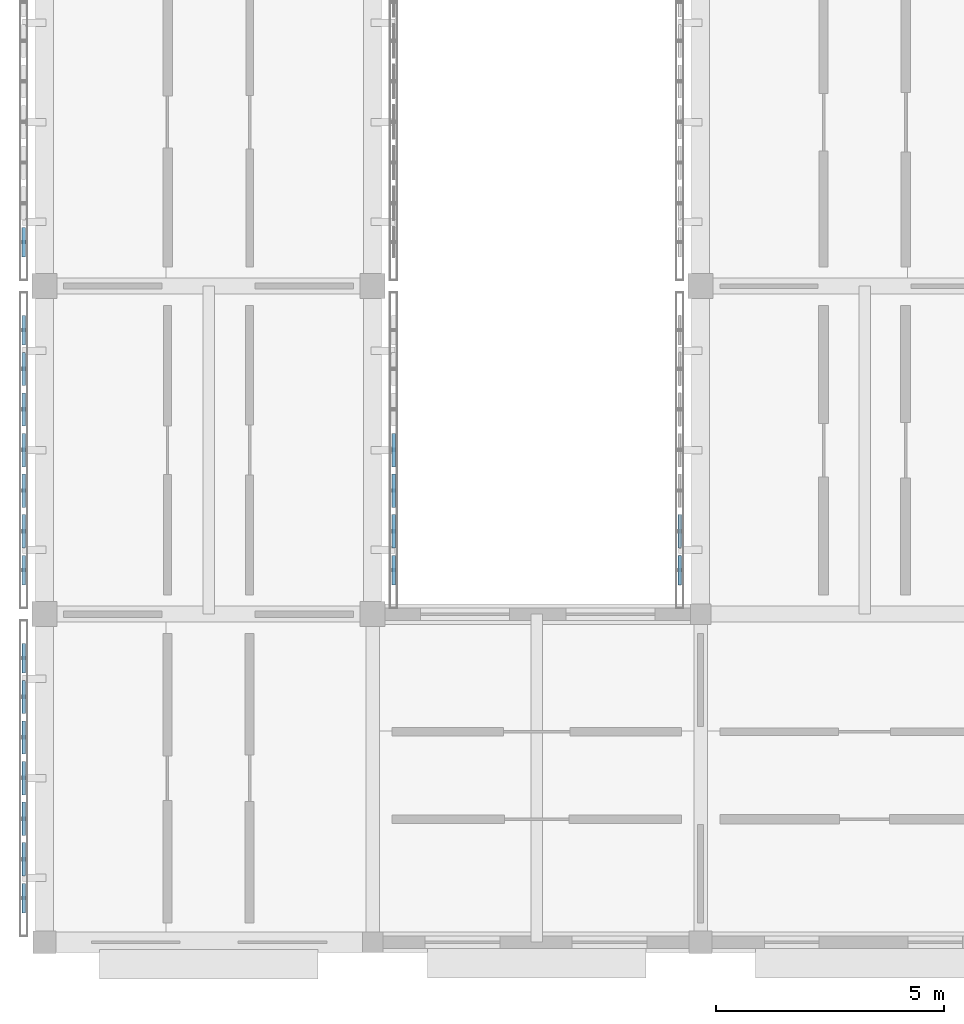
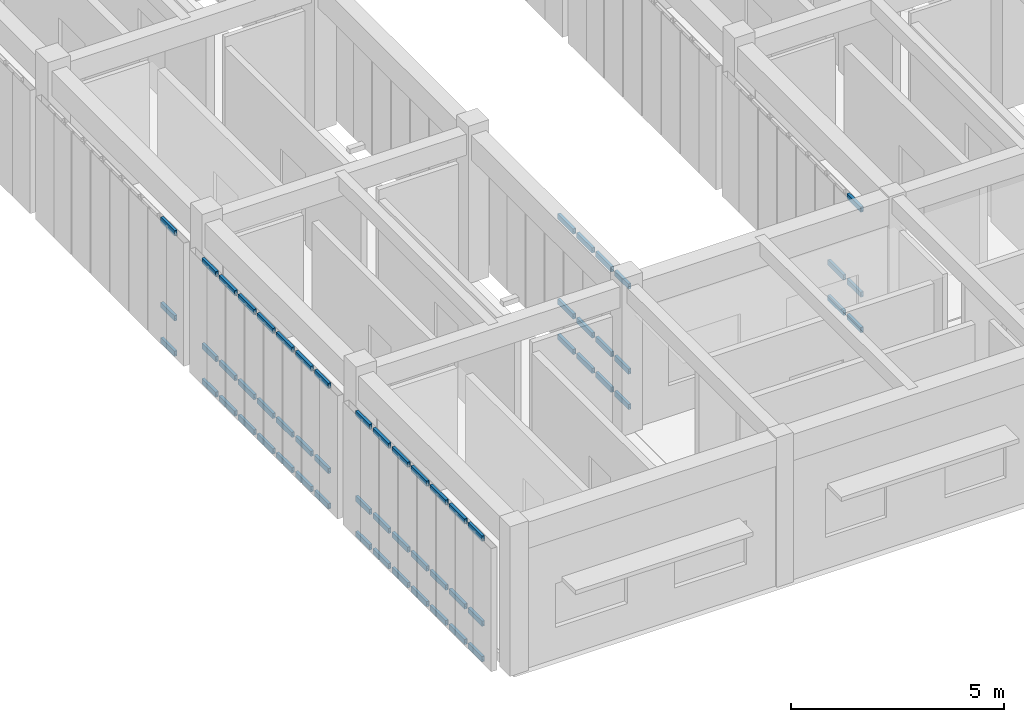
# One storey, part 69 of 171: 62 members, 5 elements without a shape of their own.
"""IFC4 building model written with IfcOpenShell, lengths in metres."""

from ifc_helpers import new_model, si_unit, direction, frame, origin, origin_2d, place, context, subcontext, project, spatial, hollow_rectangle, extrude, material, material_profile, profile_set, type_object, element, aggregate, save


model = new_model("IFC4")

# Units and contexts
model_context = context("Model", 3, precision=1e-05, world=origin(), true_north=direction((0.0, 1.0)))
body_context = subcontext(model_context, "Body", "Model", "MODEL_VIEW")
ifc_project = project(units=[si_unit("LENGTHUNIT", "METRE"), si_unit("AREAUNIT", "SQUARE_METRE"), si_unit("VOLUMEUNIT", "CUBIC_METRE"), si_unit("PLANEANGLEUNIT", "RADIAN"), si_unit("MASSUNIT", "GRAM", prefix="KILO")], contexts=[model_context])

# Site, building, storey
site_placement = place(None, origin())
site = spatial("IfcSite", under=ifc_project, at=site_placement, CompositionType="ELEMENT")
building_placement = place(site_placement, origin())
building = spatial("IfcBuilding", under=site, at=building_placement, Name="Aldebral Square Health Centre", CompositionType="ELEMENT")
storey_placement = place(building_placement, frame((0.0, 0.0, 4.5)))
storey = spatial("IfcBuildingStorey", under=building, at=storey_placement, Name="L01", CompositionType="ELEMENT", Elevation=4.5)

# Curtain wall, members
ifc_material_1 = material(Name="Aluminium and low-E solar glass", Category="aluminium")
curtain_wall_type = type_object("IfcCurtainWallType", Name="CW-FIN-SYS", PredefinedType="USERDEFINED", material=ifc_material_1)
curtain_wall_1_placement = place(storey_placement, origin())
curtain_wall_1 = element("IfcCurtainWall", 1, at=curtain_wall_1_placement, inside=storey, type_object=curtain_wall_type, Name="L01 V6 finned curtain wall L01-V6-00-00-W", ObjectType="SOLAR_CURTAIN_WALL", PredefinedType="USERDEFINED")
ifc_material_2 = material(Name="Anodised aluminium transom", Category="aluminium")
ifc_material_profile = material_profile(ifc_material_2, hollow_rectangle(XDim=0.074951171875, YDim=0.14990234375, WallThickness=0.00390625, at=origin_2d()), Name="CWT 75x150x4")
ifc_profile_set = profile_set([ifc_material_profile], Name="Anodised aluminium transom")
member_type = type_object("IfcMemberType", Name="CWT-STD", PredefinedType="USERDEFINED", material=ifc_profile_set)
member_1_placement = place(storey_placement, frame((-0.4599609375, 6.56005859375, 0.03759765625), z_axis=(0.0, -1.0, 0.0), x_axis=(1.0, 0.0, 0.0)))
member_1 = element("IfcMember", 2, at=member_1_placement, type_object=member_type, Name="CW1 transom 1.1", ObjectType="TRANSOM", PredefinedType="USERDEFINED", context=body_context, shape_type="SweptSolid", body=[
    extrude(hollow_rectangle(XDim=0.074951171875, YDim=0.14990234375, WallThickness=0.00390625, at=origin_2d()), origin(), (0.0, 0.0, 1.0), 0.6513671875),
])
member_2_placement = place(storey_placement, frame((-0.4599609375, 6.56005859375, 1.050048828125), z_axis=(0.0, -1.0, 0.0), x_axis=(1.0, 0.0, 0.0)))
member_2 = element("IfcMember", 3, at=member_2_placement, type_object=member_type, Name="CW1 transom 1.2", ObjectType="TRANSOM", PredefinedType="USERDEFINED", context=body_context, shape_type="SweptSolid", body=[
    extrude(hollow_rectangle(XDim=0.074951171875, YDim=0.14990234375, WallThickness=0.00390625, at=origin_2d()), origin(), (0.0, 0.0, 1.0), 0.6513671875),
])
member_3_placement = place(storey_placement, frame((-0.4599609375, 6.56005859375, 3.482421875), z_axis=(0.0, -1.0, 0.0), x_axis=(1.0, 0.0, 0.0)))
member_3 = element("IfcMember", 4, at=member_3_placement, type_object=member_type, Name="CW1 transom 1.3", ObjectType="TRANSOM", PredefinedType="USERDEFINED", context=body_context, shape_type="SweptSolid", body=[
    extrude(hollow_rectangle(XDim=0.074951171875, YDim=0.14990234375, WallThickness=0.00390625, at=origin_2d()), origin(), (0.0, 0.0, 1.0), 0.6513671875),
])
member_4_placement = place(storey_placement, frame((-0.4599609375, 5.74853515625, 0.03759765625), z_axis=(0.0, -1.0, 0.0), x_axis=(1.0, 0.0, 0.0)))
member_4 = element("IfcMember", 5, at=member_4_placement, type_object=member_type, Name="CW1 transom 2.1", ObjectType="TRANSOM", PredefinedType="USERDEFINED", context=body_context, shape_type="SweptSolid", body=[
    extrude(hollow_rectangle(XDim=0.074951171875, YDim=0.14990234375, WallThickness=0.00390625, at=origin_2d()), origin(), (0.0, 0.0, 1.0), 0.7314453125),
])
member_5_placement = place(storey_placement, frame((-0.4599609375, 5.74853515625, 1.050048828125), z_axis=(0.0, -1.0, 0.0), x_axis=(1.0, 0.0, 0.0)))
member_5 = element("IfcMember", 6, at=member_5_placement, type_object=member_type, Name="CW1 transom 2.2", ObjectType="TRANSOM", PredefinedType="USERDEFINED", context=body_context, shape_type="SweptSolid", body=[
    extrude(hollow_rectangle(XDim=0.074951171875, YDim=0.14990234375, WallThickness=0.00390625, at=origin_2d()), origin(), (0.0, 0.0, 1.0), 0.7314453125),
])
member_6_placement = place(storey_placement, frame((-0.4599609375, 5.74853515625, 3.482421875), z_axis=(0.0, -1.0, 0.0), x_axis=(1.0, 0.0, 0.0)))
member_6 = element("IfcMember", 7, at=member_6_placement, type_object=member_type, Name="CW1 transom 2.3", ObjectType="TRANSOM", PredefinedType="USERDEFINED", context=body_context, shape_type="SweptSolid", body=[
    extrude(hollow_rectangle(XDim=0.074951171875, YDim=0.14990234375, WallThickness=0.00390625, at=origin_2d()), origin(), (0.0, 0.0, 1.0), 0.7314453125),
])
member_7_placement = place(storey_placement, frame((-0.4599609375, 4.857177734375, 0.03759765625), z_axis=(0.0, -1.0, 0.0), x_axis=(1.0, 0.0, 0.0)))
member_7 = element("IfcMember", 8, at=member_7_placement, type_object=member_type, Name="CW1 transom 3.1", ObjectType="TRANSOM", PredefinedType="USERDEFINED", context=body_context, shape_type="SweptSolid", body=[
    extrude(hollow_rectangle(XDim=0.074951171875, YDim=0.14990234375, WallThickness=0.00390625, at=origin_2d()), origin(), (0.0, 0.0, 1.0), 0.7314453125),
])
member_8_placement = place(storey_placement, frame((-0.4599609375, 4.857177734375, 1.050048828125), z_axis=(0.0, -1.0, 0.0), x_axis=(1.0, 0.0, 0.0)))
member_8 = element("IfcMember", 9, at=member_8_placement, type_object=member_type, Name="CW1 transom 3.2", ObjectType="TRANSOM", PredefinedType="USERDEFINED", context=body_context, shape_type="SweptSolid", body=[
    extrude(hollow_rectangle(XDim=0.074951171875, YDim=0.14990234375, WallThickness=0.00390625, at=origin_2d()), origin(), (0.0, 0.0, 1.0), 0.7314453125),
])
member_9_placement = place(storey_placement, frame((-0.4599609375, 4.857177734375, 3.482421875), z_axis=(0.0, -1.0, 0.0), x_axis=(1.0, 0.0, 0.0)))
member_9 = element("IfcMember", 10, at=member_9_placement, type_object=member_type, Name="CW1 transom 3.3", ObjectType="TRANSOM", PredefinedType="USERDEFINED", context=body_context, shape_type="SweptSolid", body=[
    extrude(hollow_rectangle(XDim=0.074951171875, YDim=0.14990234375, WallThickness=0.00390625, at=origin_2d()), origin(), (0.0, 0.0, 1.0), 0.7314453125),
])
member_10_placement = place(storey_placement, frame((-0.4599609375, 3.9658203125, 0.03759765625), z_axis=(0.0, -1.0, 0.0), x_axis=(1.0, 0.0, 0.0)))
member_10 = element("IfcMember", 11, at=member_10_placement, type_object=member_type, Name="CW1 transom 4.1", ObjectType="TRANSOM", PredefinedType="USERDEFINED", context=body_context, shape_type="SweptSolid", body=[
    extrude(hollow_rectangle(XDim=0.074951171875, YDim=0.14990234375, WallThickness=0.00390625, at=origin_2d()), origin(), (0.0, 0.0, 1.0), 0.7314453125),
])
member_11_placement = place(storey_placement, frame((-0.4599609375, 3.9658203125, 1.050048828125), z_axis=(0.0, -1.0, 0.0), x_axis=(1.0, 0.0, 0.0)))
member_11 = element("IfcMember", 12, at=member_11_placement, type_object=member_type, Name="CW1 transom 4.2", ObjectType="TRANSOM", PredefinedType="USERDEFINED", context=body_context, shape_type="SweptSolid", body=[
    extrude(hollow_rectangle(XDim=0.074951171875, YDim=0.14990234375, WallThickness=0.00390625, at=origin_2d()), origin(), (0.0, 0.0, 1.0), 0.7314453125),
])
member_12_placement = place(storey_placement, frame((-0.4599609375, 3.9658203125, 3.482421875), z_axis=(0.0, -1.0, 0.0), x_axis=(1.0, 0.0, 0.0)))
member_12 = element("IfcMember", 13, at=member_12_placement, type_object=member_type, Name="CW1 transom 4.3", ObjectType="TRANSOM", PredefinedType="USERDEFINED", context=body_context, shape_type="SweptSolid", body=[
    extrude(hollow_rectangle(XDim=0.074951171875, YDim=0.14990234375, WallThickness=0.00390625, at=origin_2d()), origin(), (0.0, 0.0, 1.0), 0.7314453125),
])
member_13_placement = place(storey_placement, frame((-0.4599609375, 3.07421875, 0.03759765625), z_axis=(0.0, -1.0, 0.0), x_axis=(1.0, 0.0, 0.0)))
member_13 = element("IfcMember", 14, at=member_13_placement, type_object=member_type, Name="CW1 transom 5.1", ObjectType="TRANSOM", PredefinedType="USERDEFINED", context=body_context, shape_type="SweptSolid", body=[
    extrude(hollow_rectangle(XDim=0.074951171875, YDim=0.14990234375, WallThickness=0.00390625, at=origin_2d()), origin(), (0.0, 0.0, 1.0), 0.7314453125),
])
member_14_placement = place(storey_placement, frame((-0.4599609375, 3.07421875, 1.050048828125), z_axis=(0.0, -1.0, 0.0), x_axis=(1.0, 0.0, 0.0)))
member_14 = element("IfcMember", 15, at=member_14_placement, type_object=member_type, Name="CW1 transom 5.2", ObjectType="TRANSOM", PredefinedType="USERDEFINED", context=body_context, shape_type="SweptSolid", body=[
    extrude(hollow_rectangle(XDim=0.074951171875, YDim=0.14990234375, WallThickness=0.00390625, at=origin_2d()), origin(), (0.0, 0.0, 1.0), 0.7314453125),
])
member_15_placement = place(storey_placement, frame((-0.4599609375, 3.07421875, 3.482421875), z_axis=(0.0, -1.0, 0.0), x_axis=(1.0, 0.0, 0.0)))
member_15 = element("IfcMember", 16, at=member_15_placement, type_object=member_type, Name="CW1 transom 5.3", ObjectType="TRANSOM", PredefinedType="USERDEFINED", context=body_context, shape_type="SweptSolid", body=[
    extrude(hollow_rectangle(XDim=0.074951171875, YDim=0.14990234375, WallThickness=0.00390625, at=origin_2d()), origin(), (0.0, 0.0, 1.0), 0.7314453125),
])
member_16_placement = place(storey_placement, frame((-0.4599609375, 2.182861328125, 0.03759765625), z_axis=(0.0, -1.0, 0.0), x_axis=(1.0, 0.0, 0.0)))
member_16 = element("IfcMember", 17, at=member_16_placement, type_object=member_type, Name="CW1 transom 6.1", ObjectType="TRANSOM", PredefinedType="USERDEFINED", context=body_context, shape_type="SweptSolid", body=[
    extrude(hollow_rectangle(XDim=0.074951171875, YDim=0.14990234375, WallThickness=0.00390625, at=origin_2d()), origin(), (0.0, 0.0, 1.0), 0.7314453125),
])
member_17_placement = place(storey_placement, frame((-0.4599609375, 2.182861328125, 1.050048828125), z_axis=(0.0, -1.0, 0.0), x_axis=(1.0, 0.0, 0.0)))
member_17 = element("IfcMember", 18, at=member_17_placement, type_object=member_type, Name="CW1 transom 6.2", ObjectType="TRANSOM", PredefinedType="USERDEFINED", context=body_context, shape_type="SweptSolid", body=[
    extrude(hollow_rectangle(XDim=0.074951171875, YDim=0.14990234375, WallThickness=0.00390625, at=origin_2d()), origin(), (0.0, 0.0, 1.0), 0.7314453125),
])
member_18_placement = place(storey_placement, frame((-0.4599609375, 2.182861328125, 3.482421875), z_axis=(0.0, -1.0, 0.0), x_axis=(1.0, 0.0, 0.0)))
member_18 = element("IfcMember", 19, at=member_18_placement, type_object=member_type, Name="CW1 transom 6.3", ObjectType="TRANSOM", PredefinedType="USERDEFINED", context=body_context, shape_type="SweptSolid", body=[
    extrude(hollow_rectangle(XDim=0.074951171875, YDim=0.14990234375, WallThickness=0.00390625, at=origin_2d()), origin(), (0.0, 0.0, 1.0), 0.7314453125),
])
member_19_placement = place(storey_placement, frame((-0.4599609375, 1.29150390625, 0.03759765625), z_axis=(0.0, -1.0, 0.0), x_axis=(1.0, 0.0, 0.0)))
member_19 = element("IfcMember", 20, at=member_19_placement, type_object=member_type, Name="CW1 transom 7.1", ObjectType="TRANSOM", PredefinedType="USERDEFINED", context=body_context, shape_type="SweptSolid", body=[
    extrude(hollow_rectangle(XDim=0.074951171875, YDim=0.14990234375, WallThickness=0.00390625, at=origin_2d()), origin(), (0.0, 0.0, 1.0), 0.651611328125),
])
member_20_placement = place(storey_placement, frame((-0.4599609375, 1.29150390625, 1.050048828125), z_axis=(0.0, -1.0, 0.0), x_axis=(1.0, 0.0, 0.0)))
member_20 = element("IfcMember", 21, at=member_20_placement, type_object=member_type, Name="CW1 transom 7.2", ObjectType="TRANSOM", PredefinedType="USERDEFINED", context=body_context, shape_type="SweptSolid", body=[
    extrude(hollow_rectangle(XDim=0.074951171875, YDim=0.14990234375, WallThickness=0.00390625, at=origin_2d()), origin(), (0.0, 0.0, 1.0), 0.651611328125),
])
member_21_placement = place(storey_placement, frame((-0.4599609375, 1.29150390625, 3.482421875), z_axis=(0.0, -1.0, 0.0), x_axis=(1.0, 0.0, 0.0)))
member_21 = element("IfcMember", 22, at=member_21_placement, type_object=member_type, Name="CW1 transom 7.3", ObjectType="TRANSOM", PredefinedType="USERDEFINED", context=body_context, shape_type="SweptSolid", body=[
    extrude(hollow_rectangle(XDim=0.074951171875, YDim=0.14990234375, WallThickness=0.00390625, at=origin_2d()), origin(), (0.0, 0.0, 1.0), 0.651611328125),
])
aggregate(curtain_wall_1, [member_1, member_2, member_3, member_4, member_5, member_6, member_7, member_8, member_9, member_10, member_11, member_12, member_13, member_14, member_15, member_16, member_17, member_18, member_19, member_20, member_21])

curtain_wall_2_placement = place(storey_placement, origin())
curtain_wall_2 = element("IfcCurtainWall", 23, at=curtain_wall_2_placement, inside=storey, type_object=curtain_wall_type, Name="L01 V6 finned curtain wall L01-V6-00-01-W", ObjectType="SOLAR_CURTAIN_WALL", PredefinedType="USERDEFINED")
member_22_placement = place(storey_placement, frame((-0.4599609375, 13.760009765625, 0.03759765625), z_axis=(0.0, -1.0, 0.0), x_axis=(1.0, 0.0, 0.0)))
member_22 = element("IfcMember", 24, at=member_22_placement, type_object=member_type, Name="CW1 transom 1.1", ObjectType="TRANSOM", PredefinedType="USERDEFINED", context=body_context, shape_type="SweptSolid", body=[
    extrude(hollow_rectangle(XDim=0.074951171875, YDim=0.14990234375, WallThickness=0.00390625, at=origin_2d()), origin(), (0.0, 0.0, 1.0), 0.6513671875),
])
member_23_placement = place(storey_placement, frame((-0.4599609375, 13.760009765625, 1.050048828125), z_axis=(0.0, -1.0, 0.0), x_axis=(1.0, 0.0, 0.0)))
member_23 = element("IfcMember", 25, at=member_23_placement, type_object=member_type, Name="CW1 transom 1.2", ObjectType="TRANSOM", PredefinedType="USERDEFINED", context=body_context, shape_type="SweptSolid", body=[
    extrude(hollow_rectangle(XDim=0.074951171875, YDim=0.14990234375, WallThickness=0.00390625, at=origin_2d()), origin(), (0.0, 0.0, 1.0), 0.6513671875),
])
member_24_placement = place(storey_placement, frame((-0.4599609375, 13.760009765625, 3.482421875), z_axis=(0.0, -1.0, 0.0), x_axis=(1.0, 0.0, 0.0)))
member_24 = element("IfcMember", 26, at=member_24_placement, type_object=member_type, Name="CW1 transom 1.3", ObjectType="TRANSOM", PredefinedType="USERDEFINED", context=body_context, shape_type="SweptSolid", body=[
    extrude(hollow_rectangle(XDim=0.074951171875, YDim=0.14990234375, WallThickness=0.00390625, at=origin_2d()), origin(), (0.0, 0.0, 1.0), 0.6513671875),
])
member_25_placement = place(storey_placement, frame((-0.4599609375, 12.948486328125, 0.03759765625), z_axis=(0.0, -1.0, 0.0), x_axis=(1.0, 0.0, 0.0)))
member_25 = element("IfcMember", 27, at=member_25_placement, type_object=member_type, Name="CW1 transom 2.1", ObjectType="TRANSOM", PredefinedType="USERDEFINED", context=body_context, shape_type="SweptSolid", body=[
    extrude(hollow_rectangle(XDim=0.074951171875, YDim=0.14990234375, WallThickness=0.00390625, at=origin_2d()), origin(), (0.0, 0.0, 1.0), 0.7314453125),
])
member_26_placement = place(storey_placement, frame((-0.4599609375, 12.948486328125, 1.050048828125), z_axis=(0.0, -1.0, 0.0), x_axis=(1.0, 0.0, 0.0)))
member_26 = element("IfcMember", 28, at=member_26_placement, type_object=member_type, Name="CW1 transom 2.2", ObjectType="TRANSOM", PredefinedType="USERDEFINED", context=body_context, shape_type="SweptSolid", body=[
    extrude(hollow_rectangle(XDim=0.074951171875, YDim=0.14990234375, WallThickness=0.00390625, at=origin_2d()), origin(), (0.0, 0.0, 1.0), 0.7314453125),
])
member_27_placement = place(storey_placement, frame((-0.4599609375, 12.948486328125, 3.482421875), z_axis=(0.0, -1.0, 0.0), x_axis=(1.0, 0.0, 0.0)))
member_27 = element("IfcMember", 29, at=member_27_placement, type_object=member_type, Name="CW1 transom 2.3", ObjectType="TRANSOM", PredefinedType="USERDEFINED", context=body_context, shape_type="SweptSolid", body=[
    extrude(hollow_rectangle(XDim=0.074951171875, YDim=0.14990234375, WallThickness=0.00390625, at=origin_2d()), origin(), (0.0, 0.0, 1.0), 0.7314453125),
])
member_28_placement = place(storey_placement, frame((-0.4599609375, 12.05712890625, 0.03759765625), z_axis=(0.0, -1.0, 0.0), x_axis=(1.0, 0.0, 0.0)))
member_28 = element("IfcMember", 30, at=member_28_placement, type_object=member_type, Name="CW1 transom 3.1", ObjectType="TRANSOM", PredefinedType="USERDEFINED", context=body_context, shape_type="SweptSolid", body=[
    extrude(hollow_rectangle(XDim=0.074951171875, YDim=0.14990234375, WallThickness=0.00390625, at=origin_2d()), origin(), (0.0, 0.0, 1.0), 0.7314453125),
])
member_29_placement = place(storey_placement, frame((-0.4599609375, 12.05712890625, 1.050048828125), z_axis=(0.0, -1.0, 0.0), x_axis=(1.0, 0.0, 0.0)))
member_29 = element("IfcMember", 31, at=member_29_placement, type_object=member_type, Name="CW1 transom 3.2", ObjectType="TRANSOM", PredefinedType="USERDEFINED", context=body_context, shape_type="SweptSolid", body=[
    extrude(hollow_rectangle(XDim=0.074951171875, YDim=0.14990234375, WallThickness=0.00390625, at=origin_2d()), origin(), (0.0, 0.0, 1.0), 0.7314453125),
])
member_30_placement = place(storey_placement, frame((-0.4599609375, 12.05712890625, 3.482421875), z_axis=(0.0, -1.0, 0.0), x_axis=(1.0, 0.0, 0.0)))
member_30 = element("IfcMember", 32, at=member_30_placement, type_object=member_type, Name="CW1 transom 3.3", ObjectType="TRANSOM", PredefinedType="USERDEFINED", context=body_context, shape_type="SweptSolid", body=[
    extrude(hollow_rectangle(XDim=0.074951171875, YDim=0.14990234375, WallThickness=0.00390625, at=origin_2d()), origin(), (0.0, 0.0, 1.0), 0.7314453125),
])
member_31_placement = place(storey_placement, frame((-0.4599609375, 11.165771484375, 0.03759765625), z_axis=(0.0, -1.0, 0.0), x_axis=(1.0, 0.0, 0.0)))
member_31 = element("IfcMember", 33, at=member_31_placement, type_object=member_type, Name="CW1 transom 4.1", ObjectType="TRANSOM", PredefinedType="USERDEFINED", context=body_context, shape_type="SweptSolid", body=[
    extrude(hollow_rectangle(XDim=0.074951171875, YDim=0.14990234375, WallThickness=0.00390625, at=origin_2d()), origin(), (0.0, 0.0, 1.0), 0.7314453125),
])
member_32_placement = place(storey_placement, frame((-0.4599609375, 11.165771484375, 1.050048828125), z_axis=(0.0, -1.0, 0.0), x_axis=(1.0, 0.0, 0.0)))
member_32 = element("IfcMember", 34, at=member_32_placement, type_object=member_type, Name="CW1 transom 4.2", ObjectType="TRANSOM", PredefinedType="USERDEFINED", context=body_context, shape_type="SweptSolid", body=[
    extrude(hollow_rectangle(XDim=0.074951171875, YDim=0.14990234375, WallThickness=0.00390625, at=origin_2d()), origin(), (0.0, 0.0, 1.0), 0.7314453125),
])
member_33_placement = place(storey_placement, frame((-0.4599609375, 11.165771484375, 3.482421875), z_axis=(0.0, -1.0, 0.0), x_axis=(1.0, 0.0, 0.0)))
member_33 = element("IfcMember", 35, at=member_33_placement, type_object=member_type, Name="CW1 transom 4.3", ObjectType="TRANSOM", PredefinedType="USERDEFINED", context=body_context, shape_type="SweptSolid", body=[
    extrude(hollow_rectangle(XDim=0.074951171875, YDim=0.14990234375, WallThickness=0.00390625, at=origin_2d()), origin(), (0.0, 0.0, 1.0), 0.7314453125),
])
member_34_placement = place(storey_placement, frame((-0.4599609375, 10.274169921875, 0.03759765625), z_axis=(0.0, -1.0, 0.0), x_axis=(1.0, 0.0, 0.0)))
member_34 = element("IfcMember", 36, at=member_34_placement, type_object=member_type, Name="CW1 transom 5.1", ObjectType="TRANSOM", PredefinedType="USERDEFINED", context=body_context, shape_type="SweptSolid", body=[
    extrude(hollow_rectangle(XDim=0.074951171875, YDim=0.14990234375, WallThickness=0.00390625, at=origin_2d()), origin(), (0.0, 0.0, 1.0), 0.731201171875),
])
member_35_placement = place(storey_placement, frame((-0.4599609375, 10.274169921875, 1.050048828125), z_axis=(0.0, -1.0, 0.0), x_axis=(1.0, 0.0, 0.0)))
member_35 = element("IfcMember", 37, at=member_35_placement, type_object=member_type, Name="CW1 transom 5.2", ObjectType="TRANSOM", PredefinedType="USERDEFINED", context=body_context, shape_type="SweptSolid", body=[
    extrude(hollow_rectangle(XDim=0.074951171875, YDim=0.14990234375, WallThickness=0.00390625, at=origin_2d()), origin(), (0.0, 0.0, 1.0), 0.731201171875),
])
member_36_placement = place(storey_placement, frame((-0.4599609375, 10.274169921875, 3.482421875), z_axis=(0.0, -1.0, 0.0), x_axis=(1.0, 0.0, 0.0)))
member_36 = element("IfcMember", 38, at=member_36_placement, type_object=member_type, Name="CW1 transom 5.3", ObjectType="TRANSOM", PredefinedType="USERDEFINED", context=body_context, shape_type="SweptSolid", body=[
    extrude(hollow_rectangle(XDim=0.074951171875, YDim=0.14990234375, WallThickness=0.00390625, at=origin_2d()), origin(), (0.0, 0.0, 1.0), 0.731201171875),
])
member_37_placement = place(storey_placement, frame((-0.4599609375, 9.3828125, 0.03759765625), z_axis=(0.0, -1.0, 0.0), x_axis=(1.0, 0.0, 0.0)))
member_37 = element("IfcMember", 39, at=member_37_placement, type_object=member_type, Name="CW1 transom 6.1", ObjectType="TRANSOM", PredefinedType="USERDEFINED", context=body_context, shape_type="SweptSolid", body=[
    extrude(hollow_rectangle(XDim=0.074951171875, YDim=0.14990234375, WallThickness=0.00390625, at=origin_2d()), origin(), (0.0, 0.0, 1.0), 0.7314453125),
])
member_38_placement = place(storey_placement, frame((-0.4599609375, 9.3828125, 1.050048828125), z_axis=(0.0, -1.0, 0.0), x_axis=(1.0, 0.0, 0.0)))
member_38 = element("IfcMember", 40, at=member_38_placement, type_object=member_type, Name="CW1 transom 6.2", ObjectType="TRANSOM", PredefinedType="USERDEFINED", context=body_context, shape_type="SweptSolid", body=[
    extrude(hollow_rectangle(XDim=0.074951171875, YDim=0.14990234375, WallThickness=0.00390625, at=origin_2d()), origin(), (0.0, 0.0, 1.0), 0.7314453125),
])
member_39_placement = place(storey_placement, frame((-0.4599609375, 9.3828125, 3.482421875), z_axis=(0.0, -1.0, 0.0), x_axis=(1.0, 0.0, 0.0)))
member_39 = element("IfcMember", 41, at=member_39_placement, type_object=member_type, Name="CW1 transom 6.3", ObjectType="TRANSOM", PredefinedType="USERDEFINED", context=body_context, shape_type="SweptSolid", body=[
    extrude(hollow_rectangle(XDim=0.074951171875, YDim=0.14990234375, WallThickness=0.00390625, at=origin_2d()), origin(), (0.0, 0.0, 1.0), 0.7314453125),
])
member_40_placement = place(storey_placement, frame((-0.4599609375, 8.491455078125, 0.03759765625), z_axis=(0.0, -1.0, 0.0), x_axis=(1.0, 0.0, 0.0)))
member_40 = element("IfcMember", 42, at=member_40_placement, type_object=member_type, Name="CW1 transom 7.1", ObjectType="TRANSOM", PredefinedType="USERDEFINED", context=body_context, shape_type="SweptSolid", body=[
    extrude(hollow_rectangle(XDim=0.074951171875, YDim=0.14990234375, WallThickness=0.00390625, at=origin_2d()), origin(), (0.0, 0.0, 1.0), 0.6513671875),
])
member_41_placement = place(storey_placement, frame((-0.4599609375, 8.491455078125, 1.050048828125), z_axis=(0.0, -1.0, 0.0), x_axis=(1.0, 0.0, 0.0)))
member_41 = element("IfcMember", 43, at=member_41_placement, type_object=member_type, Name="CW1 transom 7.2", ObjectType="TRANSOM", PredefinedType="USERDEFINED", context=body_context, shape_type="SweptSolid", body=[
    extrude(hollow_rectangle(XDim=0.074951171875, YDim=0.14990234375, WallThickness=0.00390625, at=origin_2d()), origin(), (0.0, 0.0, 1.0), 0.6513671875),
])
member_42_placement = place(storey_placement, frame((-0.4599609375, 8.491455078125, 3.482421875), z_axis=(0.0, -1.0, 0.0), x_axis=(1.0, 0.0, 0.0)))
member_42 = element("IfcMember", 44, at=member_42_placement, type_object=member_type, Name="CW1 transom 7.3", ObjectType="TRANSOM", PredefinedType="USERDEFINED", context=body_context, shape_type="SweptSolid", body=[
    extrude(hollow_rectangle(XDim=0.074951171875, YDim=0.14990234375, WallThickness=0.00390625, at=origin_2d()), origin(), (0.0, 0.0, 1.0), 0.6513671875),
])
aggregate(curtain_wall_2, [member_22, member_23, member_24, member_25, member_26, member_27, member_28, member_29, member_30, member_31, member_32, member_33, member_34, member_35, member_36, member_37, member_38, member_39, member_40, member_41, member_42])

curtain_wall_3_placement = place(storey_placement, origin())
curtain_wall_3 = element("IfcCurtainWall", 45, at=curtain_wall_3_placement, inside=storey, type_object=curtain_wall_type, Name="L01 V6 finned curtain wall L01-V6-00-01-E", ObjectType="SOLAR_CURTAIN_WALL", PredefinedType="USERDEFINED")
member_43_placement = place(storey_placement, frame((7.659912109375, 7.840087890625, 0.03759765625), z_axis=(0.0, 1.0, 0.0), x_axis=(-1.0, 0.0, 0.0)))
member_43 = element("IfcMember", 46, at=member_43_placement, type_object=member_type, Name="CW1 transom 1.1", ObjectType="TRANSOM", PredefinedType="USERDEFINED", context=body_context, shape_type="SweptSolid", body=[
    extrude(hollow_rectangle(XDim=0.074951171875, YDim=0.14990234375, WallThickness=0.00390625, at=origin_2d()), origin(), (0.0, 0.0, 1.0), 0.6513671875),
])
member_44_placement = place(storey_placement, frame((7.659912109375, 7.840087890625, 1.050048828125), z_axis=(0.0, 1.0, 0.0), x_axis=(-1.0, 0.0, 0.0)))
member_44 = element("IfcMember", 47, at=member_44_placement, type_object=member_type, Name="CW1 transom 1.2", ObjectType="TRANSOM", PredefinedType="USERDEFINED", context=body_context, shape_type="SweptSolid", body=[
    extrude(hollow_rectangle(XDim=0.074951171875, YDim=0.14990234375, WallThickness=0.00390625, at=origin_2d()), origin(), (0.0, 0.0, 1.0), 0.6513671875),
])
member_45_placement = place(storey_placement, frame((7.659912109375, 7.840087890625, 3.482421875), z_axis=(0.0, 1.0, 0.0), x_axis=(-1.0, 0.0, 0.0)))
member_45 = element("IfcMember", 48, at=member_45_placement, type_object=member_type, Name="CW1 transom 1.3", ObjectType="TRANSOM", PredefinedType="USERDEFINED", context=body_context, shape_type="SweptSolid", body=[
    extrude(hollow_rectangle(XDim=0.074951171875, YDim=0.14990234375, WallThickness=0.00390625, at=origin_2d()), origin(), (0.0, 0.0, 1.0), 0.6513671875),
])
member_46_placement = place(storey_placement, frame((7.659912109375, 8.6513671875, 0.03759765625), z_axis=(0.0, 1.0, 0.0), x_axis=(-1.0, 0.0, 0.0)))
member_46 = element("IfcMember", 49, at=member_46_placement, type_object=member_type, Name="CW1 transom 2.1", ObjectType="TRANSOM", PredefinedType="USERDEFINED", context=body_context, shape_type="SweptSolid", body=[
    extrude(hollow_rectangle(XDim=0.074951171875, YDim=0.14990234375, WallThickness=0.00390625, at=origin_2d()), origin(), (0.0, 0.0, 1.0), 0.7314453125),
])
member_47_placement = place(storey_placement, frame((7.659912109375, 8.6513671875, 1.050048828125), z_axis=(0.0, 1.0, 0.0), x_axis=(-1.0, 0.0, 0.0)))
member_47 = element("IfcMember", 50, at=member_47_placement, type_object=member_type, Name="CW1 transom 2.2", ObjectType="TRANSOM", PredefinedType="USERDEFINED", context=body_context, shape_type="SweptSolid", body=[
    extrude(hollow_rectangle(XDim=0.074951171875, YDim=0.14990234375, WallThickness=0.00390625, at=origin_2d()), origin(), (0.0, 0.0, 1.0), 0.7314453125),
])
member_48_placement = place(storey_placement, frame((7.659912109375, 8.6513671875, 3.482421875), z_axis=(0.0, 1.0, 0.0), x_axis=(-1.0, 0.0, 0.0)))
member_48 = element("IfcMember", 51, at=member_48_placement, type_object=member_type, Name="CW1 transom 2.3", ObjectType="TRANSOM", PredefinedType="USERDEFINED", context=body_context, shape_type="SweptSolid", body=[
    extrude(hollow_rectangle(XDim=0.074951171875, YDim=0.14990234375, WallThickness=0.00390625, at=origin_2d()), origin(), (0.0, 0.0, 1.0), 0.7314453125),
])
member_49_placement = place(storey_placement, frame((7.659912109375, 9.54296875, 0.03759765625), z_axis=(0.0, 1.0, 0.0), x_axis=(-1.0, 0.0, 0.0)))
member_49 = element("IfcMember", 52, at=member_49_placement, type_object=member_type, Name="CW1 transom 3.1", ObjectType="TRANSOM", PredefinedType="USERDEFINED", context=body_context, shape_type="SweptSolid", body=[
    extrude(hollow_rectangle(XDim=0.074951171875, YDim=0.14990234375, WallThickness=0.00390625, at=origin_2d()), origin(), (0.0, 0.0, 1.0), 0.731201171875),
])
member_50_placement = place(storey_placement, frame((7.659912109375, 9.54296875, 1.050048828125), z_axis=(0.0, 1.0, 0.0), x_axis=(-1.0, 0.0, 0.0)))
member_50 = element("IfcMember", 53, at=member_50_placement, type_object=member_type, Name="CW1 transom 3.2", ObjectType="TRANSOM", PredefinedType="USERDEFINED", context=body_context, shape_type="SweptSolid", body=[
    extrude(hollow_rectangle(XDim=0.074951171875, YDim=0.14990234375, WallThickness=0.00390625, at=origin_2d()), origin(), (0.0, 0.0, 1.0), 0.731201171875),
])
member_51_placement = place(storey_placement, frame((7.659912109375, 9.54296875, 3.482421875), z_axis=(0.0, 1.0, 0.0), x_axis=(-1.0, 0.0, 0.0)))
member_51 = element("IfcMember", 54, at=member_51_placement, type_object=member_type, Name="CW1 transom 3.3", ObjectType="TRANSOM", PredefinedType="USERDEFINED", context=body_context, shape_type="SweptSolid", body=[
    extrude(hollow_rectangle(XDim=0.074951171875, YDim=0.14990234375, WallThickness=0.00390625, at=origin_2d()), origin(), (0.0, 0.0, 1.0), 0.731201171875),
])
member_52_placement = place(storey_placement, frame((7.659912109375, 10.434326171875, 0.03759765625), z_axis=(0.0, 1.0, 0.0), x_axis=(-1.0, 0.0, 0.0)))
member_52 = element("IfcMember", 55, at=member_52_placement, type_object=member_type, Name="CW1 transom 4.1", ObjectType="TRANSOM", PredefinedType="USERDEFINED", context=body_context, shape_type="SweptSolid", body=[
    extrude(hollow_rectangle(XDim=0.074951171875, YDim=0.14990234375, WallThickness=0.00390625, at=origin_2d()), origin(), (0.0, 0.0, 1.0), 0.7314453125),
])
member_53_placement = place(storey_placement, frame((7.659912109375, 10.434326171875, 1.050048828125), z_axis=(0.0, 1.0, 0.0), x_axis=(-1.0, 0.0, 0.0)))
member_53 = element("IfcMember", 56, at=member_53_placement, type_object=member_type, Name="CW1 transom 4.2", ObjectType="TRANSOM", PredefinedType="USERDEFINED", context=body_context, shape_type="SweptSolid", body=[
    extrude(hollow_rectangle(XDim=0.074951171875, YDim=0.14990234375, WallThickness=0.00390625, at=origin_2d()), origin(), (0.0, 0.0, 1.0), 0.7314453125),
])
member_54_placement = place(storey_placement, frame((7.659912109375, 10.434326171875, 3.482421875), z_axis=(0.0, 1.0, 0.0), x_axis=(-1.0, 0.0, 0.0)))
member_54 = element("IfcMember", 57, at=member_54_placement, type_object=member_type, Name="CW1 transom 4.3", ObjectType="TRANSOM", PredefinedType="USERDEFINED", context=body_context, shape_type="SweptSolid", body=[
    extrude(hollow_rectangle(XDim=0.074951171875, YDim=0.14990234375, WallThickness=0.00390625, at=origin_2d()), origin(), (0.0, 0.0, 1.0), 0.7314453125),
])
aggregate(curtain_wall_3, [member_43, member_44, member_45, member_46, member_47, member_48, member_49, member_50, member_51, member_52, member_53, member_54])

curtain_wall_4_placement = place(storey_placement, origin())
curtain_wall_4 = element("IfcCurtainWall", 58, at=curtain_wall_4_placement, inside=storey, type_object=curtain_wall_type, Name="L01 V6 finned curtain wall L01-V6-00-02-W", ObjectType="SOLAR_CURTAIN_WALL", PredefinedType="USERDEFINED")
member_55_placement = place(storey_placement, frame((-0.4599609375, 15.69140625, 0.03759765625), z_axis=(0.0, -1.0, 0.0), x_axis=(1.0, 0.0, 0.0)))
member_55 = element("IfcMember", 59, at=member_55_placement, type_object=member_type, Name="CW1 transom 7.1", ObjectType="TRANSOM", PredefinedType="USERDEFINED", context=body_context, shape_type="SweptSolid", body=[
    extrude(hollow_rectangle(XDim=0.074951171875, YDim=0.14990234375, WallThickness=0.00390625, at=origin_2d()), origin(), (0.0, 0.0, 1.0), 0.6513671875),
])
member_56_placement = place(storey_placement, frame((-0.4599609375, 15.69140625, 1.050048828125), z_axis=(0.0, -1.0, 0.0), x_axis=(1.0, 0.0, 0.0)))
member_56 = element("IfcMember", 60, at=member_56_placement, type_object=member_type, Name="CW1 transom 7.2", ObjectType="TRANSOM", PredefinedType="USERDEFINED", context=body_context, shape_type="SweptSolid", body=[
    extrude(hollow_rectangle(XDim=0.074951171875, YDim=0.14990234375, WallThickness=0.00390625, at=origin_2d()), origin(), (0.0, 0.0, 1.0), 0.6513671875),
])
member_57_placement = place(storey_placement, frame((-0.4599609375, 15.69140625, 3.482421875), z_axis=(0.0, -1.0, 0.0), x_axis=(1.0, 0.0, 0.0)))
member_57 = element("IfcMember", 61, at=member_57_placement, type_object=member_type, Name="CW1 transom 7.3", ObjectType="TRANSOM", PredefinedType="USERDEFINED", context=body_context, shape_type="SweptSolid", body=[
    extrude(hollow_rectangle(XDim=0.074951171875, YDim=0.14990234375, WallThickness=0.00390625, at=origin_2d()), origin(), (0.0, 0.0, 1.0), 0.6513671875),
])
aggregate(curtain_wall_4, [member_55, member_56, member_57])

curtain_wall_5_placement = place(storey_placement, origin())
curtain_wall_5 = element("IfcCurtainWall", 62, at=curtain_wall_5_placement, inside=storey, type_object=curtain_wall_type, Name="L01 V6 finned curtain wall L01-V6-02-01-W", ObjectType="SOLAR_CURTAIN_WALL", PredefinedType="USERDEFINED")
member_58_placement = place(storey_placement, frame((13.93994140625, 9.3828125, 0.03759765625), z_axis=(0.0, -1.0, 0.0), x_axis=(1.0, 0.0, 0.0)))
member_58 = element("IfcMember", 63, at=member_58_placement, type_object=member_type, Name="CW1 transom 6.1", ObjectType="TRANSOM", PredefinedType="USERDEFINED", context=body_context, shape_type="SweptSolid", body=[
    extrude(hollow_rectangle(XDim=0.074951171875, YDim=0.14990234375, WallThickness=0.00390625, at=origin_2d()), origin(), (0.0, 0.0, 1.0), 0.7314453125),
])
member_59_placement = place(storey_placement, frame((13.93994140625, 9.3828125, 1.050048828125), z_axis=(0.0, -1.0, 0.0), x_axis=(1.0, 0.0, 0.0)))
member_59 = element("IfcMember", 64, at=member_59_placement, type_object=member_type, Name="CW1 transom 6.2", ObjectType="TRANSOM", PredefinedType="USERDEFINED", context=body_context, shape_type="SweptSolid", body=[
    extrude(hollow_rectangle(XDim=0.074951171875, YDim=0.14990234375, WallThickness=0.00390625, at=origin_2d()), origin(), (0.0, 0.0, 1.0), 0.7314453125),
])
member_60_placement = place(storey_placement, frame((13.93994140625, 8.491455078125, 0.03759765625), z_axis=(0.0, -1.0, 0.0), x_axis=(1.0, 0.0, 0.0)))
member_60 = element("IfcMember", 65, at=member_60_placement, type_object=member_type, Name="CW1 transom 7.1", ObjectType="TRANSOM", PredefinedType="USERDEFINED", context=body_context, shape_type="SweptSolid", body=[
    extrude(hollow_rectangle(XDim=0.074951171875, YDim=0.14990234375, WallThickness=0.00390625, at=origin_2d()), origin(), (0.0, 0.0, 1.0), 0.6513671875),
])
member_61_placement = place(storey_placement, frame((13.93994140625, 8.491455078125, 1.050048828125), z_axis=(0.0, -1.0, 0.0), x_axis=(1.0, 0.0, 0.0)))
member_61 = element("IfcMember", 66, at=member_61_placement, type_object=member_type, Name="CW1 transom 7.2", ObjectType="TRANSOM", PredefinedType="USERDEFINED", context=body_context, shape_type="SweptSolid", body=[
    extrude(hollow_rectangle(XDim=0.074951171875, YDim=0.14990234375, WallThickness=0.00390625, at=origin_2d()), origin(), (0.0, 0.0, 1.0), 0.6513671875),
])
member_62_placement = place(storey_placement, frame((13.93994140625, 8.491455078125, 3.482421875), z_axis=(0.0, -1.0, 0.0), x_axis=(1.0, 0.0, 0.0)))
member_62 = element("IfcMember", 67, at=member_62_placement, type_object=member_type, Name="CW1 transom 7.3", ObjectType="TRANSOM", PredefinedType="USERDEFINED", context=body_context, shape_type="SweptSolid", body=[
    extrude(hollow_rectangle(XDim=0.074951171875, YDim=0.14990234375, WallThickness=0.00390625, at=origin_2d()), origin(), (0.0, 0.0, 1.0), 0.6513671875),
])
aggregate(curtain_wall_5, [member_58, member_59, member_60, member_61, member_62])

save(model, "model.ifc")
